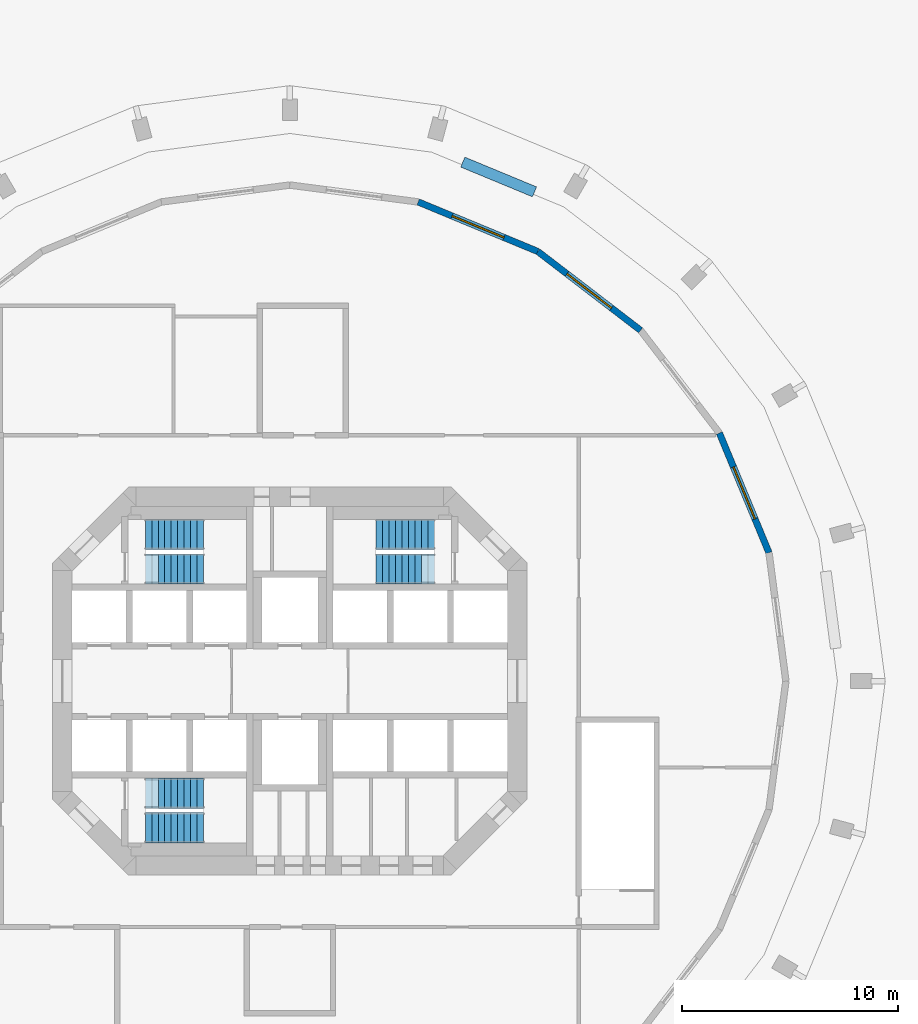
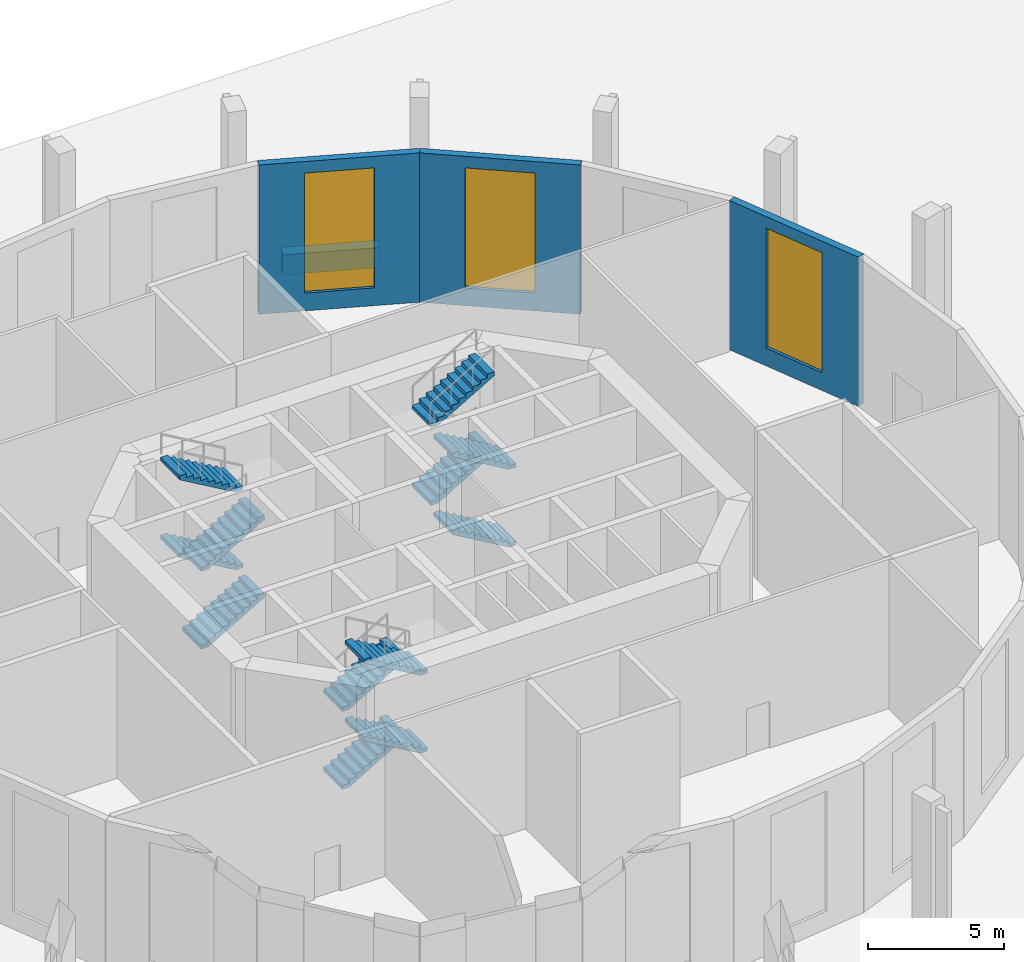
# One storey, part 6 of 7: 12 stair flights, 4 walls, 3 windows, 3 openings, 3 elements without a shape of their own.
"""IFC4 building model written with IfcOpenShell, lengths in metres."""

from ifc_helpers import new_model, si_unit, direction, frame, frame_2d, origin, place, context, subcontext, project, spatial, polyline, rectangle, outline, extrude, material, layer, layer_set, type_object, element, fill, aggregate, save


model = new_model("IFC4")

# Units and contexts
model_context = context("Model", 3, precision=1e-05, world=origin(), true_north=direction((0.0, 1.0)))
body_context = subcontext(model_context, "Body", "Model", "MODEL_VIEW")
ifc_project = project(units=[si_unit("LENGTHUNIT", "METRE"), si_unit("AREAUNIT", "SQUARE_METRE"), si_unit("VOLUMEUNIT", "CUBIC_METRE"), si_unit("PLANEANGLEUNIT", "RADIAN"), si_unit("MASSUNIT", "GRAM", prefix="KILO")], contexts=[model_context])

# Site, building, storey
site_placement = place(None, origin())
site = spatial("IfcSite", under=ifc_project, at=site_placement, CompositionType="ELEMENT")
building_placement = place(site_placement, origin())
building = spatial("IfcBuilding", under=site, at=building_placement, Name="Torre Triforio", CompositionType="ELEMENT")
storey_placement = place(building_placement, frame((0.0, 0.0, 20.0)))
storey = spatial("IfcBuildingStorey", under=building, at=storey_placement, Name="L03", CompositionType="ELEMENT", Elevation=20.0)

# Wall
ifc_material_1 = material(Name="Limestone cladding", Category="masonry")
ifc_layer_1 = layer(ifc_material_1, 0.10009765625)
ifc_material_2 = material(Name="Concrete C40", Category="concrete")
ifc_layer_2 = layer(ifc_material_2, 0.39990234375)
ifc_layer_set_1 = layer_set([ifc_layer_1, ifc_layer_2], Name="Limestone cladding / Concrete C40")
wall_type_1 = type_object("IfcWallType", Name="Planter wall 500", PredefinedType="PARAPET", material=ifc_layer_set_1)
wall_1_placement = place(storey_placement, frame((11.344970703125, 22.685302734375, 0.0), z_axis=(0.0, 0.0, 1.0), x_axis=(-0.923885420167, 0.382669217998, 0.0)))
element("IfcWall", 1, at=wall_1_placement, inside=storey, type_object=wall_type_1, Name="Planter L03 bay 05", PredefinedType="PARAPET", context=body_context, shape_type="SweptSolid", body=[
    extrude(rectangle(XDim=3.60009765625, YDim=0.5, at=frame_2d((1.800048828125, 0.0))), origin(), (0.0, 0.0, 1.0), 0.89990234375),
])

# Wall, opening, window
ifc_layer_3 = layer(ifc_material_1, 0.10009765625)
ifc_layer_4 = layer(ifc_material_2, 0.199951171875)
ifc_layer_set_2 = layer_set([ifc_layer_3, ifc_layer_4], Name="Limestone cladding / Concrete C40")
wall_type_2 = type_object("IfcWallType", Name="Stone-faced composite wall 300", PredefinedType="STANDARD", material=ifc_layer_set_2)
wall_2_placement = place(storey_placement, frame((22.21630859375, 5.952880859375, 0.0), z_axis=(0.0, 0.0, 1.0), x_axis=(-0.382671411433, 0.923884511653, 0.0)))
wall_2 = element("IfcWall", 2, at=wall_2_placement, inside=storey, type_object=wall_type_2, Name="External wall L03 bay 02", PredefinedType="STANDARD", context=body_context, shape_type="SweptSolid", body=[
    extrude(rectangle(XDim=6.004150390625, YDim=0.300048828125, at=frame_2d((3.001953125, 0.0))), origin(), (0.0, 0.0, 1.0), 6.719970703125),
])
opening_1_placement = place(wall_2_placement, frame((1.7021484375, 0.0, 0.800048828125)))
opening_1 = element("IfcOpeningElement", 3, at=opening_1_placement, cuts=wall_2, Name="Opening P3-W02", PredefinedType="OPENING", context=body_context, shape_type="SweptSolid", body=[
    extrude(rectangle(XDim=2.60009765625, YDim=5.39990234375, at=frame_2d((1.300048828125, 2.699951171875))), frame((0.0, 0.159912109375, 0.0), z_axis=(0.0, -1.0, 0.0), x_axis=(1.0, 0.0, 0.0)), (0.0, 0.0, 1.0), 0.320068359375),
])
ifc_material_3 = material(Name="Aluminium frame with clear double glazing", Category="aluminium")
window_type = type_object("IfcWindowType", Name="Punched window 2600 x 5400", PartitioningType="DOUBLE_PANEL_VERTICAL", PredefinedType="WINDOW", material=ifc_material_3)
window_1_placement = place(opening_1_placement, origin())
window_1 = element("IfcWindow", 4, at=window_1_placement, inside=storey, type_object=window_type, Name="Window EWN1 L03 bay 02", OverallHeight=5.39990234375, OverallWidth=2.60009765625, PartitioningType="SINGLE_PANEL", PredefinedType="WINDOW", context=body_context, shape_type="SweptSolid", body=[
    extrude(rectangle(XDim=2.60009765625, YDim=5.39990234375, at=frame_2d((1.300048828125, 2.699951171875))), frame((0.0, 0.030029296875, 0.0), z_axis=(0.0, -1.0, 0.0), x_axis=(1.0, 0.0, 0.0)), (0.0, 0.0, 1.0), 0.06005859375),
])
fill(opening_1, window_1)

wall_3_placement = place(storey_placement, frame((16.263427734375, 16.263427734375, 0.0), z_axis=(0.0, 0.0, 1.0), x_axis=(-0.793339924758, 0.608778912074, 0.0)))
wall_3 = element("IfcWall", 5, at=wall_3_placement, inside=storey, type_object=wall_type_2, Name="External wall L03 bay 04", PredefinedType="STANDARD", context=body_context, shape_type="SweptSolid", body=[
    extrude(rectangle(XDim=6.004150390625, YDim=0.300048828125, at=frame_2d((3.001953125, 0.0))), origin(), (0.0, 0.0, 1.0), 6.719970703125),
])
opening_2_placement = place(wall_3_placement, frame((1.7021484375, 0.0, 0.800048828125)))
opening_2 = element("IfcOpeningElement", 6, at=opening_2_placement, cuts=wall_3, Name="Opening P3-W04", PredefinedType="OPENING", context=body_context, shape_type="SweptSolid", body=[
    extrude(rectangle(XDim=2.60009765625, YDim=5.39990234375, at=frame_2d((1.300048828125, 2.699951171875))), frame((0.0, 0.159912109375, 0.0), z_axis=(0.0, -1.0, 0.0), x_axis=(1.0, 0.0, 0.0)), (0.0, 0.0, 1.0), 0.320068359375),
])
window_2_placement = place(opening_2_placement, origin())
window_2 = element("IfcWindow", 7, at=window_2_placement, inside=storey, type_object=window_type, Name="Window EWN1 L03 bay 04", OverallHeight=5.39990234375, OverallWidth=2.60009765625, PartitioningType="SINGLE_PANEL", PredefinedType="WINDOW", context=body_context, shape_type="SweptSolid", body=[
    extrude(rectangle(XDim=2.60009765625, YDim=5.39990234375, at=frame_2d((1.300048828125, 2.699951171875))), frame((0.0, 0.030029296875, 0.0), z_axis=(0.0, -1.0, 0.0), x_axis=(1.0, 0.0, 0.0)), (0.0, 0.0, 1.0), 0.06005859375),
])
fill(opening_2, window_2)

wall_4_placement = place(storey_placement, frame((11.5, 19.918701171875, 0.0), z_axis=(0.0, 0.0, 1.0), x_axis=(-0.923884511653, 0.382671411433, 0.0)))
wall_4 = element("IfcWall", 8, at=wall_4_placement, inside=storey, type_object=wall_type_2, Name="External wall L03 bay 05", PredefinedType="STANDARD", context=body_context, shape_type="SweptSolid", body=[
    extrude(rectangle(XDim=6.004150390625, YDim=0.300048828125, at=frame_2d((3.001953125, 0.0))), origin(), (0.0, 0.0, 1.0), 6.719970703125),
])
opening_3_placement = place(wall_4_placement, frame((1.7021484375, 0.0, 0.800048828125)))
opening_3 = element("IfcOpeningElement", 9, at=opening_3_placement, cuts=wall_4, Name="Opening P3-W05", PredefinedType="OPENING", context=body_context, shape_type="SweptSolid", body=[
    extrude(rectangle(XDim=2.60009765625, YDim=5.39990234375, at=frame_2d((1.300048828125, 2.699951171875))), frame((0.0, 0.159912109375, 0.0), z_axis=(0.0, -1.0, 0.0), x_axis=(1.0, 0.0, 0.0)), (0.0, 0.0, 1.0), 0.320068359375),
])
window_3_placement = place(opening_3_placement, origin())
window_3 = element("IfcWindow", 10, at=window_3_placement, inside=storey, type_object=window_type, Name="Window EWN1 L03 bay 05", OverallHeight=5.39990234375, OverallWidth=2.60009765625, PartitioningType="SINGLE_PANEL", PredefinedType="WINDOW", context=body_context, shape_type="SweptSolid", body=[
    extrude(rectangle(XDim=2.60009765625, YDim=5.39990234375, at=frame_2d((1.300048828125, 2.699951171875))), frame((0.0, 0.030029296875, 0.0), z_axis=(0.0, -1.0, 0.0), x_axis=(1.0, 0.0, 0.0)), (0.0, 0.0, 1.0), 0.06005859375),
])
fill(opening_3, window_3)

# Stair, stair flights
stair_type = type_object("IfcStairType", Name="STAIR DOUBLE RETURN", PredefinedType="DOUBLE_RETURN_STAIR", material=ifc_material_2)
stair_1_placement = place(storey_placement, origin())
stair_1 = element("IfcStair", 11, at=stair_1_placement, inside=storey, type_object=stair_type, Name="Exit stair 1", PredefinedType="DOUBLE_RETURN_STAIR")
stair_flight_type = type_object("IfcStairFlightType", Name="STAIR FLIGHT 1400", PredefinedType="STRAIGHT", material=ifc_material_2)
stair_flight_1_placement = place(storey_placement, frame((-6.699951171875, 5.199951171875, 0.0), z_axis=(0.0, 0.0, 1.0), x_axis=(1.0, 0.0, 0.0)))
stair_flight_1 = element("IfcStairFlight", 12, at=stair_flight_1_placement, type_object=stair_flight_type, Name="ST1 flight 1", NumberOfRisers=10, NumberOfTreads=9, PredefinedType="STRAIGHT", RiserHeight=0.175, TreadLength=0.3, context=body_context, shape_type="SweptSolid", body=[
    extrude(outline(polyline([(0.0, 0.0), (0.0, 0.175048828125), (0.300048828125, 0.175048828125), (0.300048828125, 0.35009765625), (0.60009765625, 0.35009765625), (0.60009765625, 0.52490234375), (0.89990234375, 0.52490234375), (0.89990234375, 0.699951171875), (1.199951171875, 0.699951171875), (1.199951171875, 0.875), (1.5, 0.875), (1.5, 1.050048828125), (1.800048828125, 1.050048828125), (1.800048828125, 1.22509765625), (2.10009765625, 1.22509765625), (2.10009765625, 1.39990234375), (2.39990234375, 1.39990234375), (2.39990234375, 1.574951171875), (2.699951171875, 1.574951171875), (2.699951171875, 1.75), (2.699951171875, 1.4013671875), (0.297607421875, 0.0), (0.0, 0.0)])), frame((0.0, 0.699951171875, 0.0), z_axis=(0.0, -1.0, 0.0), x_axis=(1.0, 0.0, 0.0)), (0.0, 0.0, 1.0), 1.39990234375),
])
stair_flight_2_placement = place(storey_placement, frame((-4.0, 6.800048828125, 1.75), z_axis=(0.0, 0.0, 1.0), x_axis=(-1.0, 0.0, 0.0)))
stair_flight_2 = element("IfcStairFlight", 13, at=stair_flight_2_placement, type_object=stair_flight_type, Name="ST1 flight 2", NumberOfRisers=10, NumberOfTreads=9, PredefinedType="STRAIGHT", RiserHeight=0.175, TreadLength=0.3, context=body_context, shape_type="SweptSolid", body=[
    extrude(outline(polyline([(0.0, 0.0), (0.0, 0.175048828125), (0.300048828125, 0.175048828125), (0.300048828125, 0.35009765625), (0.60009765625, 0.35009765625), (0.60009765625, 0.52490234375), (0.89990234375, 0.52490234375), (0.89990234375, 0.699951171875), (1.199951171875, 0.699951171875), (1.199951171875, 0.875), (1.5, 0.875), (1.5, 1.050048828125), (1.800048828125, 1.050048828125), (1.800048828125, 1.22509765625), (2.10009765625, 1.22509765625), (2.10009765625, 1.39990234375), (2.39990234375, 1.39990234375), (2.39990234375, 1.574951171875), (2.699951171875, 1.574951171875), (2.699951171875, 1.75), (2.699951171875, 1.4013671875), (0.297607421875, 0.0), (0.0, 0.0)])), frame((0.0, 0.699951171875, 0.0), z_axis=(0.0, -1.0, 0.0), x_axis=(1.0, 0.0, 0.0)), (0.0, 0.0, 1.0), 1.39990234375),
])
stair_flight_3_placement = place(storey_placement, frame((-6.699951171875, 5.199951171875, 3.5), z_axis=(0.0, 0.0, 1.0), x_axis=(1.0, 0.0, 0.0)))
stair_flight_3 = element("IfcStairFlight", 14, at=stair_flight_3_placement, type_object=stair_flight_type, Name="ST1 flight 3", NumberOfRisers=10, NumberOfTreads=9, PredefinedType="STRAIGHT", RiserHeight=0.175, TreadLength=0.3, context=body_context, shape_type="SweptSolid", body=[
    extrude(outline(polyline([(0.0, 0.0), (0.0, 0.175048828125), (0.300048828125, 0.175048828125), (0.300048828125, 0.35009765625), (0.60009765625, 0.35009765625), (0.60009765625, 0.52490234375), (0.89990234375, 0.52490234375), (0.89990234375, 0.699951171875), (1.199951171875, 0.699951171875), (1.199951171875, 0.875), (1.5, 0.875), (1.5, 1.050048828125), (1.800048828125, 1.050048828125), (1.800048828125, 1.22509765625), (2.10009765625, 1.22509765625), (2.10009765625, 1.39990234375), (2.39990234375, 1.39990234375), (2.39990234375, 1.574951171875), (2.699951171875, 1.574951171875), (2.699951171875, 1.75), (2.699951171875, 1.4013671875), (0.297607421875, 0.0), (0.0, 0.0)])), frame((0.0, 0.699951171875, 0.0), z_axis=(0.0, -1.0, 0.0), x_axis=(1.0, 0.0, 0.0)), (0.0, 0.0, 1.0), 1.39990234375),
])
stair_flight_4_placement = place(storey_placement, frame((-4.0, 6.800048828125, 5.25), z_axis=(0.0, 0.0, 1.0), x_axis=(-1.0, 0.0, 0.0)))
stair_flight_4 = element("IfcStairFlight", 15, at=stair_flight_4_placement, type_object=stair_flight_type, Name="ST1 flight 4", NumberOfRisers=10, NumberOfTreads=9, PredefinedType="STRAIGHT", RiserHeight=0.175, TreadLength=0.3, context=body_context, shape_type="SweptSolid", body=[
    extrude(outline(polyline([(0.0, 0.0), (0.0, 0.175048828125), (0.300048828125, 0.175048828125), (0.300048828125, 0.35009765625), (0.60009765625, 0.35009765625), (0.60009765625, 0.52490234375), (0.89990234375, 0.52490234375), (0.89990234375, 0.699951171875), (1.199951171875, 0.699951171875), (1.199951171875, 0.875), (1.5, 0.875), (1.5, 1.050048828125), (1.800048828125, 1.050048828125), (1.800048828125, 1.22509765625), (2.10009765625, 1.22509765625), (2.10009765625, 1.39990234375), (2.39990234375, 1.39990234375), (2.39990234375, 1.574951171875), (2.699951171875, 1.574951171875), (2.699951171875, 1.75), (2.699951171875, 1.4013671875), (0.297607421875, 0.0), (0.0, 0.0)])), frame((0.0, 0.699951171875, 0.0), z_axis=(0.0, -1.0, 0.0), x_axis=(1.0, 0.0, 0.0)), (0.0, 0.0, 1.0), 1.39990234375),
])
aggregate(stair_1, [stair_flight_1, stair_flight_2, stair_flight_3, stair_flight_4])

stair_2_placement = place(storey_placement, origin())
stair_2 = element("IfcStair", 16, at=stair_2_placement, inside=storey, type_object=stair_type, Name="Exit stair 2", PredefinedType="DOUBLE_RETURN_STAIR")
stair_flight_5_placement = place(storey_placement, frame((6.699951171875, 5.199951171875, 0.0), z_axis=(0.0, 0.0, 1.0), x_axis=(-1.0, 0.0, 0.0)))
stair_flight_5 = element("IfcStairFlight", 17, at=stair_flight_5_placement, type_object=stair_flight_type, Name="ST2 flight 1", NumberOfRisers=10, NumberOfTreads=9, PredefinedType="STRAIGHT", RiserHeight=0.175, TreadLength=0.3, context=body_context, shape_type="SweptSolid", body=[
    extrude(outline(polyline([(0.0, 0.0), (0.0, 0.175048828125), (0.300048828125, 0.175048828125), (0.300048828125, 0.35009765625), (0.60009765625, 0.35009765625), (0.60009765625, 0.52490234375), (0.89990234375, 0.52490234375), (0.89990234375, 0.699951171875), (1.199951171875, 0.699951171875), (1.199951171875, 0.875), (1.5, 0.875), (1.5, 1.050048828125), (1.800048828125, 1.050048828125), (1.800048828125, 1.22509765625), (2.10009765625, 1.22509765625), (2.10009765625, 1.39990234375), (2.39990234375, 1.39990234375), (2.39990234375, 1.574951171875), (2.699951171875, 1.574951171875), (2.699951171875, 1.75), (2.699951171875, 1.4013671875), (0.297607421875, 0.0), (0.0, 0.0)])), frame((0.0, 0.699951171875, 0.0), z_axis=(0.0, -1.0, 0.0), x_axis=(1.0, 0.0, 0.0)), (0.0, 0.0, 1.0), 1.39990234375),
])
stair_flight_6_placement = place(storey_placement, frame((4.0, 6.800048828125, 1.75), z_axis=(0.0, 0.0, 1.0), x_axis=(1.0, 0.0, 0.0)))
stair_flight_6 = element("IfcStairFlight", 18, at=stair_flight_6_placement, type_object=stair_flight_type, Name="ST2 flight 2", NumberOfRisers=10, NumberOfTreads=9, PredefinedType="STRAIGHT", RiserHeight=0.175, TreadLength=0.3, context=body_context, shape_type="SweptSolid", body=[
    extrude(outline(polyline([(0.0, 0.0), (0.0, 0.175048828125), (0.300048828125, 0.175048828125), (0.300048828125, 0.35009765625), (0.60009765625, 0.35009765625), (0.60009765625, 0.52490234375), (0.89990234375, 0.52490234375), (0.89990234375, 0.699951171875), (1.199951171875, 0.699951171875), (1.199951171875, 0.875), (1.5, 0.875), (1.5, 1.050048828125), (1.800048828125, 1.050048828125), (1.800048828125, 1.22509765625), (2.10009765625, 1.22509765625), (2.10009765625, 1.39990234375), (2.39990234375, 1.39990234375), (2.39990234375, 1.574951171875), (2.699951171875, 1.574951171875), (2.699951171875, 1.75), (2.699951171875, 1.4013671875), (0.297607421875, 0.0), (0.0, 0.0)])), frame((0.0, 0.699951171875, 0.0), z_axis=(0.0, -1.0, 0.0), x_axis=(1.0, 0.0, 0.0)), (0.0, 0.0, 1.0), 1.39990234375),
])
stair_flight_7_placement = place(storey_placement, frame((6.699951171875, 5.199951171875, 3.5), z_axis=(0.0, 0.0, 1.0), x_axis=(-1.0, 0.0, 0.0)))
stair_flight_7 = element("IfcStairFlight", 19, at=stair_flight_7_placement, type_object=stair_flight_type, Name="ST2 flight 3", NumberOfRisers=10, NumberOfTreads=9, PredefinedType="STRAIGHT", RiserHeight=0.175, TreadLength=0.3, context=body_context, shape_type="SweptSolid", body=[
    extrude(outline(polyline([(0.0, 0.0), (0.0, 0.175048828125), (0.300048828125, 0.175048828125), (0.300048828125, 0.35009765625), (0.60009765625, 0.35009765625), (0.60009765625, 0.52490234375), (0.89990234375, 0.52490234375), (0.89990234375, 0.699951171875), (1.199951171875, 0.699951171875), (1.199951171875, 0.875), (1.5, 0.875), (1.5, 1.050048828125), (1.800048828125, 1.050048828125), (1.800048828125, 1.22509765625), (2.10009765625, 1.22509765625), (2.10009765625, 1.39990234375), (2.39990234375, 1.39990234375), (2.39990234375, 1.574951171875), (2.699951171875, 1.574951171875), (2.699951171875, 1.75), (2.699951171875, 1.4013671875), (0.297607421875, 0.0), (0.0, 0.0)])), frame((0.0, 0.699951171875, 0.0), z_axis=(0.0, -1.0, 0.0), x_axis=(1.0, 0.0, 0.0)), (0.0, 0.0, 1.0), 1.39990234375),
])
stair_flight_8_placement = place(storey_placement, frame((4.0, 6.800048828125, 5.25), z_axis=(0.0, 0.0, 1.0), x_axis=(1.0, 0.0, 0.0)))
stair_flight_8 = element("IfcStairFlight", 20, at=stair_flight_8_placement, type_object=stair_flight_type, Name="ST2 flight 4", NumberOfRisers=10, NumberOfTreads=9, PredefinedType="STRAIGHT", RiserHeight=0.175, TreadLength=0.3, context=body_context, shape_type="SweptSolid", body=[
    extrude(outline(polyline([(0.0, 0.0), (0.0, 0.175048828125), (0.300048828125, 0.175048828125), (0.300048828125, 0.35009765625), (0.60009765625, 0.35009765625), (0.60009765625, 0.52490234375), (0.89990234375, 0.52490234375), (0.89990234375, 0.699951171875), (1.199951171875, 0.699951171875), (1.199951171875, 0.875), (1.5, 0.875), (1.5, 1.050048828125), (1.800048828125, 1.050048828125), (1.800048828125, 1.22509765625), (2.10009765625, 1.22509765625), (2.10009765625, 1.39990234375), (2.39990234375, 1.39990234375), (2.39990234375, 1.574951171875), (2.699951171875, 1.574951171875), (2.699951171875, 1.75), (2.699951171875, 1.4013671875), (0.297607421875, 0.0), (0.0, 0.0)])), frame((0.0, 0.699951171875, 0.0), z_axis=(0.0, -1.0, 0.0), x_axis=(1.0, 0.0, 0.0)), (0.0, 0.0, 1.0), 1.39990234375),
])
aggregate(stair_2, [stair_flight_5, stair_flight_6, stair_flight_7, stair_flight_8])

stair_3_placement = place(storey_placement, origin())
stair_3 = element("IfcStair", 21, at=stair_3_placement, inside=storey, type_object=stair_type, Name="Exit stair 3", PredefinedType="DOUBLE_RETURN_STAIR")
stair_flight_9_placement = place(storey_placement, frame((-6.699951171875, -5.199951171875, 0.0), z_axis=(0.0, 0.0, 1.0), x_axis=(1.0, 0.0, 0.0)))
stair_flight_9 = element("IfcStairFlight", 22, at=stair_flight_9_placement, type_object=stair_flight_type, Name="ST3 flight 1", NumberOfRisers=10, NumberOfTreads=9, PredefinedType="STRAIGHT", RiserHeight=0.175, TreadLength=0.3, context=body_context, shape_type="SweptSolid", body=[
    extrude(outline(polyline([(0.0, 0.0), (0.0, 0.175048828125), (0.300048828125, 0.175048828125), (0.300048828125, 0.35009765625), (0.60009765625, 0.35009765625), (0.60009765625, 0.52490234375), (0.89990234375, 0.52490234375), (0.89990234375, 0.699951171875), (1.199951171875, 0.699951171875), (1.199951171875, 0.875), (1.5, 0.875), (1.5, 1.050048828125), (1.800048828125, 1.050048828125), (1.800048828125, 1.22509765625), (2.10009765625, 1.22509765625), (2.10009765625, 1.39990234375), (2.39990234375, 1.39990234375), (2.39990234375, 1.574951171875), (2.699951171875, 1.574951171875), (2.699951171875, 1.75), (2.699951171875, 1.4013671875), (0.297607421875, 0.0), (0.0, 0.0)])), frame((0.0, 0.699951171875, 0.0), z_axis=(0.0, -1.0, 0.0), x_axis=(1.0, 0.0, 0.0)), (0.0, 0.0, 1.0), 1.39990234375),
])
stair_flight_10_placement = place(storey_placement, frame((-4.0, -6.800048828125, 1.75), z_axis=(0.0, 0.0, 1.0), x_axis=(-1.0, 0.0, 0.0)))
stair_flight_10 = element("IfcStairFlight", 23, at=stair_flight_10_placement, type_object=stair_flight_type, Name="ST3 flight 2", NumberOfRisers=10, NumberOfTreads=9, PredefinedType="STRAIGHT", RiserHeight=0.175, TreadLength=0.3, context=body_context, shape_type="SweptSolid", body=[
    extrude(outline(polyline([(0.0, 0.0), (0.0, 0.175048828125), (0.300048828125, 0.175048828125), (0.300048828125, 0.35009765625), (0.60009765625, 0.35009765625), (0.60009765625, 0.52490234375), (0.89990234375, 0.52490234375), (0.89990234375, 0.699951171875), (1.199951171875, 0.699951171875), (1.199951171875, 0.875), (1.5, 0.875), (1.5, 1.050048828125), (1.800048828125, 1.050048828125), (1.800048828125, 1.22509765625), (2.10009765625, 1.22509765625), (2.10009765625, 1.39990234375), (2.39990234375, 1.39990234375), (2.39990234375, 1.574951171875), (2.699951171875, 1.574951171875), (2.699951171875, 1.75), (2.699951171875, 1.4013671875), (0.297607421875, 0.0), (0.0, 0.0)])), frame((0.0, 0.699951171875, 0.0), z_axis=(0.0, -1.0, 0.0), x_axis=(1.0, 0.0, 0.0)), (0.0, 0.0, 1.0), 1.39990234375),
])
stair_flight_11_placement = place(storey_placement, frame((-6.699951171875, -5.199951171875, 3.5), z_axis=(0.0, 0.0, 1.0), x_axis=(1.0, 0.0, 0.0)))
stair_flight_11 = element("IfcStairFlight", 24, at=stair_flight_11_placement, type_object=stair_flight_type, Name="ST3 flight 3", NumberOfRisers=10, NumberOfTreads=9, PredefinedType="STRAIGHT", RiserHeight=0.175, TreadLength=0.3, context=body_context, shape_type="SweptSolid", body=[
    extrude(outline(polyline([(0.0, 0.0), (0.0, 0.175048828125), (0.300048828125, 0.175048828125), (0.300048828125, 0.35009765625), (0.60009765625, 0.35009765625), (0.60009765625, 0.52490234375), (0.89990234375, 0.52490234375), (0.89990234375, 0.699951171875), (1.199951171875, 0.699951171875), (1.199951171875, 0.875), (1.5, 0.875), (1.5, 1.050048828125), (1.800048828125, 1.050048828125), (1.800048828125, 1.22509765625), (2.10009765625, 1.22509765625), (2.10009765625, 1.39990234375), (2.39990234375, 1.39990234375), (2.39990234375, 1.574951171875), (2.699951171875, 1.574951171875), (2.699951171875, 1.75), (2.699951171875, 1.4013671875), (0.297607421875, 0.0), (0.0, 0.0)])), frame((0.0, 0.699951171875, 0.0), z_axis=(0.0, -1.0, 0.0), x_axis=(1.0, 0.0, 0.0)), (0.0, 0.0, 1.0), 1.39990234375),
])
stair_flight_12_placement = place(storey_placement, frame((-4.0, -6.800048828125, 5.25), z_axis=(0.0, 0.0, 1.0), x_axis=(-1.0, 0.0, 0.0)))
stair_flight_12 = element("IfcStairFlight", 25, at=stair_flight_12_placement, type_object=stair_flight_type, Name="ST3 flight 4", NumberOfRisers=10, NumberOfTreads=9, PredefinedType="STRAIGHT", RiserHeight=0.175, TreadLength=0.3, context=body_context, shape_type="SweptSolid", body=[
    extrude(outline(polyline([(0.0, 0.0), (0.0, 0.175048828125), (0.300048828125, 0.175048828125), (0.300048828125, 0.35009765625), (0.60009765625, 0.35009765625), (0.60009765625, 0.52490234375), (0.89990234375, 0.52490234375), (0.89990234375, 0.699951171875), (1.199951171875, 0.699951171875), (1.199951171875, 0.875), (1.5, 0.875), (1.5, 1.050048828125), (1.800048828125, 1.050048828125), (1.800048828125, 1.22509765625), (2.10009765625, 1.22509765625), (2.10009765625, 1.39990234375), (2.39990234375, 1.39990234375), (2.39990234375, 1.574951171875), (2.699951171875, 1.574951171875), (2.699951171875, 1.75), (2.699951171875, 1.4013671875), (0.297607421875, 0.0), (0.0, 0.0)])), frame((0.0, 0.699951171875, 0.0), z_axis=(0.0, -1.0, 0.0), x_axis=(1.0, 0.0, 0.0)), (0.0, 0.0, 1.0), 1.39990234375),
])
aggregate(stair_3, [stair_flight_9, stair_flight_10, stair_flight_11, stair_flight_12])

save(model, "model.ifc")
